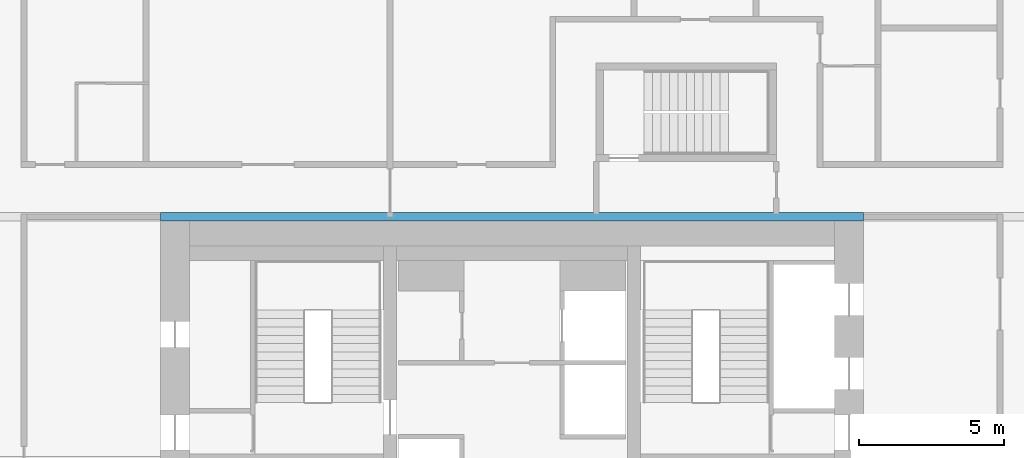
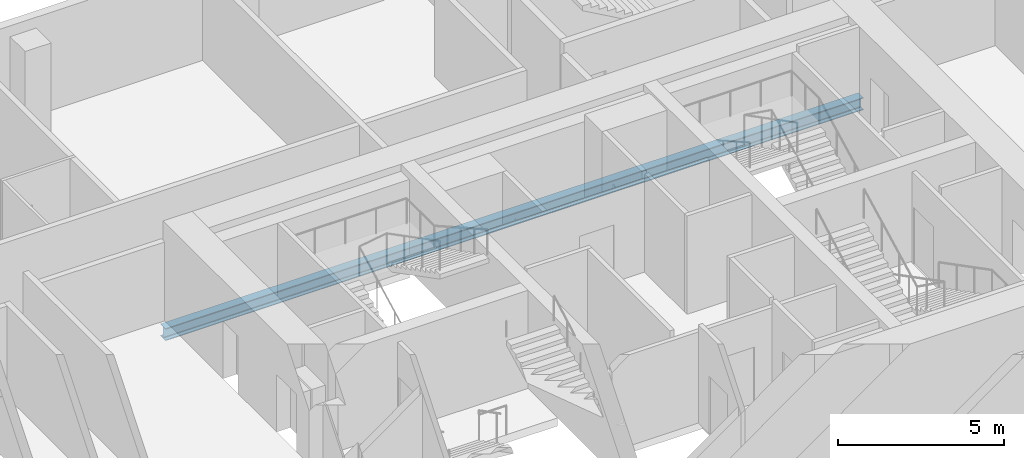
# One storey, part 9 of 23: 1 beam.
"""IFC4 building model written with IfcOpenShell, lengths in metres."""

from ifc_helpers import new_model, si_unit, direction, frame, origin, origin_2d, place, context, subcontext, project, spatial, i_section, extrude, material, material_profile, profile_set, type_object, element, save


model = new_model("IFC4")

# Units and contexts
model_context = context("Model", 3, precision=1e-05, world=origin(), true_north=direction((0.0, 1.0)))
body_context = subcontext(model_context, "Body", "Model", "MODEL_VIEW")
ifc_project = project(units=[si_unit("LENGTHUNIT", "METRE"), si_unit("AREAUNIT", "SQUARE_METRE"), si_unit("VOLUMEUNIT", "CUBIC_METRE"), si_unit("PLANEANGLEUNIT", "RADIAN"), si_unit("MASSUNIT", "GRAM", prefix="KILO")], contexts=[model_context])

# Site, building, storey
site_placement = place(None, origin())
site = spatial("IfcSite", under=ifc_project, at=site_placement, CompositionType="ELEMENT")
building_placement = place(site_placement, origin())
building = spatial("IfcBuilding", under=site, at=building_placement, Name="Marenta Gate Hotel Tower", CompositionType="ELEMENT")
storey_placement = place(building_placement, frame((0.0, 0.0, 155.300048828125)))
storey = spatial("IfcBuildingStorey", under=building, at=storey_placement, Name="L36", CompositionType="ELEMENT", Elevation=155.300048828125)

# Beam
ifc_material = material(Name="Steel S355", Category="steel")
ifc_material_profile = material_profile(ifc_material, i_section(OverallWidth=0.300048828125, OverallDepth=0.449951171875, WebThickness=0.013916015625, FlangeThickness=0.02587890625, FilletRadius=0.027099609375, at=origin_2d()), Name="HEB 450")
ifc_profile_set = profile_set([ifc_material_profile], Name="Steel S355")
beam_type = type_object("IfcBeamType", Name="Girder HEB 450", PredefinedType="BEAM", material=ifc_profile_set)
beam_placement = place(storey_placement, frame((-12.10009765625, 16.800048828125, -0.485107421875), z_axis=(1.0, 0.0, 0.0), x_axis=(0.0, 1.0, 0.0)))
element("IfcBeam", 1, at=beam_placement, inside=storey, type_object=beam_type, Name="L36-GD-26", PredefinedType="BEAM", context=body_context, shape_type="SweptSolid", body=[
    extrude(i_section(OverallWidth=0.300048828125, OverallDepth=0.449951171875, WebThickness=0.013916015625, FlangeThickness=0.02587890625, FilletRadius=0.027099609375, at=origin_2d()), origin(), (0.0, 0.0, 1.0), 24.2001953125),
])

save(model, "model.ifc")
